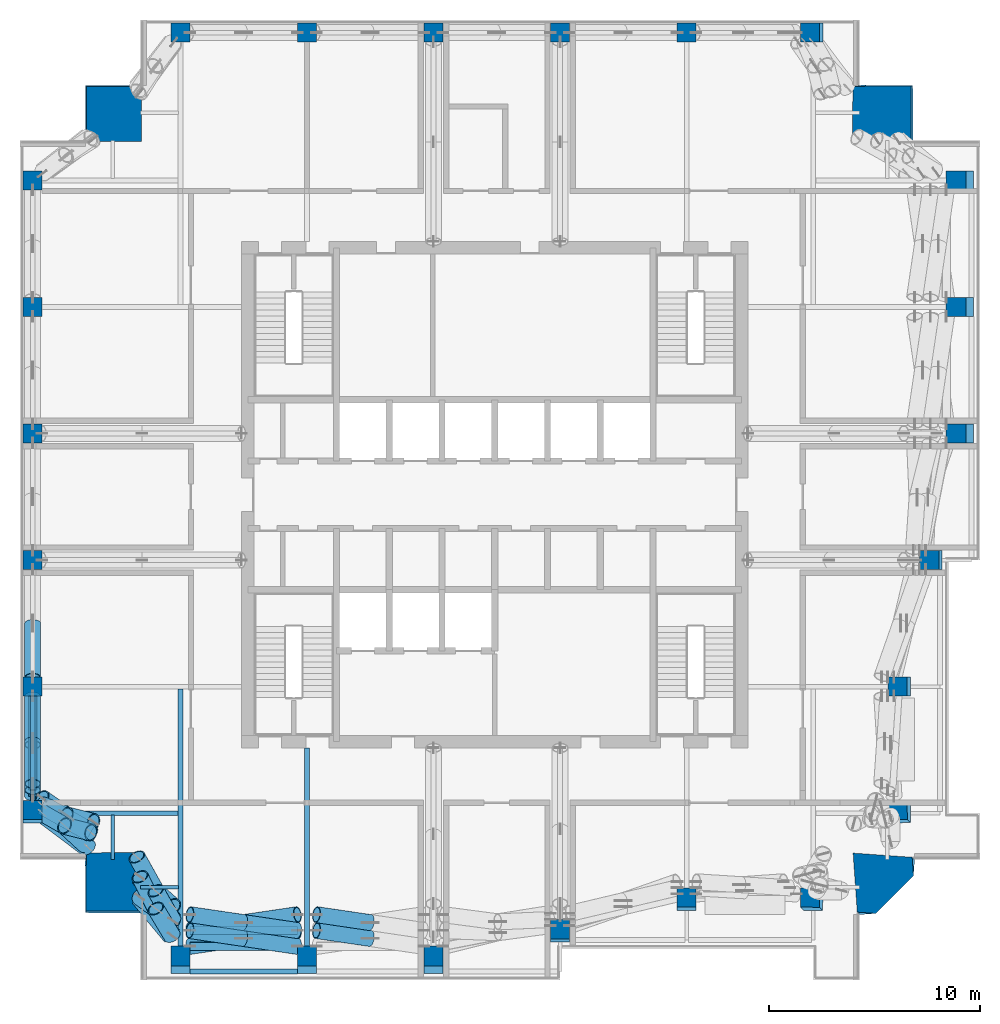
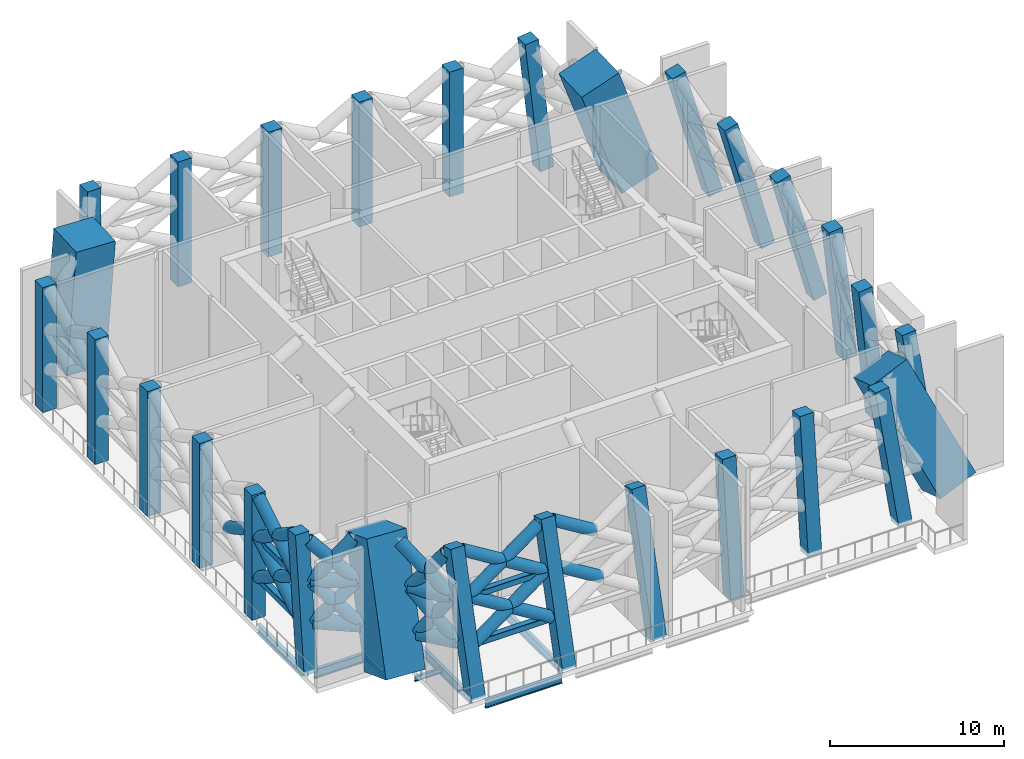
# One storey, part 1 of 18: 28 columns, 27 members, 15 beams.
"""IFC4 building model written with IfcOpenShell, lengths in metres."""

from ifc_helpers import new_model, si_unit, direction, frame, origin, origin_2d, place, context, subcontext, project, spatial, rectangle, hollow_rectangle, hollow_circle, i_section, extrude, material, material_profile, profile_set, type_object, element, save


model = new_model("IFC4")

# Units and contexts
model_context = context("Model", 3, precision=1e-05, world=origin(), true_north=direction((0.0, 1.0)))
body_context = subcontext(model_context, "Body", "Model", "MODEL_VIEW")
ifc_project = project(units=[si_unit("LENGTHUNIT", "METRE"), si_unit("AREAUNIT", "SQUARE_METRE"), si_unit("VOLUMEUNIT", "CUBIC_METRE"), si_unit("PLANEANGLEUNIT", "RADIAN"), si_unit("MASSUNIT", "GRAM", prefix="KILO")], contexts=[model_context])

# Site, building, storey
site_placement = place(None, origin())
site = spatial("IfcSite", under=ifc_project, at=site_placement, CompositionType="ELEMENT")
building_placement = place(site_placement, origin())
building = spatial("IfcBuilding", under=site, at=building_placement, Name="Amberfall Residences", CompositionType="ELEMENT")
storey_placement = place(building_placement, frame((0.0, 0.0, 229.89990234375)))
storey = spatial("IfcBuildingStorey", under=building, at=storey_placement, Name="L62", CompositionType="ELEMENT", Elevation=229.89990234375)

# Columns
ifc_material_1 = material(Name="Concrete C55", Category="concrete")
ifc_material_profile_1 = material_profile(ifc_material_1, rectangle(XDim=0.89990234375, YDim=0.89990234375, at=origin_2d()), Name="Column 900 x 900 C55")
ifc_profile_set_1 = profile_set([ifc_material_profile_1], Name="Concrete C55")
column_type_1 = type_object("IfcColumnType", Name="Column 900 x 900 C55", PredefinedType="COLUMN", material=ifc_profile_set_1)
for number, where, z_axis, x_axis, name in (
    (1, (59.60009765625, 23.25, -0.233154296875), (0.0, 0.25953103544, 0.965734767751), (-1.0, 0.0, 0.0), "Column C4 L62 S1"),
    (2, (65.60009765625, 23.25, -0.233154296875), (0.0, 0.25953103544, 0.965734767751), (-1.0, 0.0, 0.0), "Column C4 L62 S2"),
    (3, (71.60009765625, 23.25, -0.233154296875), (0.0, 0.25953103544, 0.965734767751), (-1.0, 0.0, 0.0), "Column C4 L62 S3"),
):
    element("IfcColumn", number, at=place(storey_placement, frame(where, z_axis=z_axis, x_axis=x_axis)), inside=storey, type_object=column_type_1, Name=name, PredefinedType="COLUMN", context=body_context, shape_type="SweptSolid", body=[
        extrude(rectangle(XDim=0.89990234375, YDim=0.89990234375, at=origin_2d()), origin(), (0.0, 0.0, 1.0), 9.43994140625),
    ])
for number, where, z_axis, x_axis, name in (
    (4, (77.60009765625, 24.75, -0.303955078125), (0.0, 0.102072131731, 0.994777000098), (-1.0, 0.0, 0.0), "Column C4 L62 S4"),
    (5, (83.60009765625, 26.25, -0.303955078125), (0.0, 0.102072131731, 0.994777000098), (-1.0, 0.0, 0.0), "Column C4 L62 S5"),
):
    element("IfcColumn", number, at=place(storey_placement, frame(where, z_axis=z_axis, x_axis=x_axis)), inside=storey, type_object=column_type_1, Name=name, PredefinedType="COLUMN", context=body_context, shape_type="SweptSolid", body=[
        extrude(rectangle(XDim=0.89990234375, YDim=0.89990234375, at=origin_2d()), origin(), (0.0, 0.0, 1.0), 9.306640625),
    ])
for number, where, z_axis, x_axis, name in (
    (6, (89.60009765625, 26.25, -0.255126953125), (-0.10794591497, 0.102543348425, 0.988854155644), (-0.005540068847, -0.994712823448, 0.102546118918), "Column C4 L62 S6"),
    (7, (93.75, 30.39990234375, -0.255126953125), (-0.102543348425, 0.10794591497, 0.988854155644), (-0.005591114531, -0.994141331541, 0.10794328307), "Column C4 L62 E1"),
):
    element("IfcColumn", number, at=place(storey_placement, frame(where, z_axis=z_axis, x_axis=x_axis)), inside=storey, type_object=column_type_1, Name=name, PredefinedType="COLUMN", context=body_context, shape_type="SweptSolid", body=[
        extrude(rectangle(XDim=0.89990234375, YDim=0.89990234375, at=origin_2d()), origin(), (0.0, 0.0, 1.0), 9.263916015625),
    ])
for number, where, z_axis, x_axis, name in (
    (8, (93.75, 36.39990234375, -0.303955078125), (-0.102072131731, 0.0, 0.994777000098), (0.0, -1.0, 0.0), "Column C4 L62 E2"),
    (9, (95.25, 42.39990234375, -0.303955078125), (-0.102072131731, 0.0, 0.994777000098), (0.0, -1.0, 0.0), "Column C4 L62 E3"),
):
    element("IfcColumn", number, at=place(storey_placement, frame(where, z_axis=z_axis, x_axis=x_axis)), inside=storey, type_object=column_type_1, Name=name, PredefinedType="COLUMN", context=body_context, shape_type="SweptSolid", body=[
        extrude(rectangle(XDim=0.89990234375, YDim=0.89990234375, at=origin_2d()), origin(), (0.0, 0.0, 1.0), 9.306640625),
    ])
for number, where, z_axis, x_axis, name in (
    (10, (96.75, 48.39990234375, -0.233154296875), (-0.25953103544, 0.0, 0.965734767751), (0.0, -1.0, 0.0), "Column C4 L62 E4"),
    (11, (96.75, 54.39990234375, -0.233154296875), (-0.25953103544, 0.0, 0.965734767751), (0.0, -1.0, 0.0), "Column C4 L62 E5"),
    (12, (96.75, 60.39990234375, -0.233154296875), (-0.25953103544, 0.0, 0.965734767751), (0.0, -1.0, 0.0), "Column C4 L62 E6"),
):
    element("IfcColumn", number, at=place(storey_placement, frame(where, z_axis=z_axis, x_axis=x_axis)), inside=storey, type_object=column_type_1, Name=name, PredefinedType="COLUMN", context=body_context, shape_type="SweptSolid", body=[
        extrude(rectangle(XDim=0.89990234375, YDim=0.89990234375, at=origin_2d()), origin(), (0.0, 0.0, 1.0), 9.43994140625),
    ])
for number, where, z_axis, x_axis, name in (
    (13, (59.60009765625, 67.39990234375, 0.0), (0.0, 0.0, 1.0), (1.0, 0.0, 0.0), "Column C4 L62 N1"),
    (14, (65.60009765625, 67.39990234375, 0.0), (0.0, 0.0, 1.0), (1.0, 0.0, 0.0), "Column C4 L62 N2"),
    (15, (71.60009765625, 67.39990234375, 0.0), (0.0, 0.0, 1.0), (1.0, 0.0, 0.0), "Column C4 L62 N3"),
    (16, (77.60009765625, 67.39990234375, 0.0), (0.0, 0.0, 1.0), (1.0, 0.0, 0.0), "Column C4 L62 N4"),
    (17, (83.60009765625, 67.39990234375, 0.0), (0.0, 0.0, 1.0), (1.0, 0.0, 0.0), "Column C4 L62 N5"),
):
    element("IfcColumn", number, at=place(storey_placement, frame(where, z_axis=z_axis, x_axis=x_axis)), inside=storey, type_object=column_type_1, Name=name, PredefinedType="COLUMN", context=body_context, shape_type="SweptSolid", body=[
        extrude(rectangle(XDim=0.89990234375, YDim=0.89990234375, at=origin_2d()), origin(), (0.0, 0.0, 1.0), 8.75),
    ])
for number, where, z_axis, x_axis, name in (
    (18, (89.60009765625, 67.39990234375, -0.301513671875), (-0.107442600408, 0.0, 0.994211289223), (0.0, -1.0, 0.0), "Column C4 L62 N6"),
    (19, (52.60009765625, 30.39990234375, -0.301513671875), (0.0, 0.107442600408, 0.994211289223), (-1.0, 0.0, 0.0), "Column C4 L62 W1"),
):
    element("IfcColumn", number, at=place(storey_placement, frame(where, z_axis=z_axis, x_axis=x_axis)), inside=storey, type_object=column_type_1, Name=name, PredefinedType="COLUMN", context=body_context, shape_type="SweptSolid", body=[
        extrude(rectangle(XDim=0.89990234375, YDim=0.89990234375, at=origin_2d()), origin(), (0.0, 0.0, 1.0), 9.307373046875),
    ])
for number, where, z_axis, x_axis, name in (
    (20, (52.60009765625, 36.39990234375, 0.0), (0.0, 0.0, 1.0), (1.0, 0.0, 0.0), "Column C4 L62 W2"),
    (21, (52.60009765625, 42.39990234375, 0.0), (0.0, 0.0, 1.0), (1.0, 0.0, 0.0), "Column C4 L62 W3"),
    (22, (52.60009765625, 48.39990234375, 0.0), (0.0, 0.0, 1.0), (1.0, 0.0, 0.0), "Column C4 L62 W4"),
    (23, (52.60009765625, 54.39990234375, 0.0), (0.0, 0.0, 1.0), (1.0, 0.0, 0.0), "Column C4 L62 W5"),
    (24, (52.60009765625, 60.39990234375, 0.0), (0.0, 0.0, 1.0), (1.0, 0.0, 0.0), "Column C4 L62 W6"),
):
    element("IfcColumn", number, at=place(storey_placement, frame(where, z_axis=z_axis, x_axis=x_axis)), inside=storey, type_object=column_type_1, Name=name, PredefinedType="COLUMN", context=body_context, shape_type="SweptSolid", body=[
        extrude(rectangle(XDim=0.89990234375, YDim=0.89990234375, at=origin_2d()), origin(), (0.0, 0.0, 1.0), 8.75),
    ])
ifc_material_profile_2 = material_profile(ifc_material_1, rectangle(XDim=2.60009765625, YDim=2.60009765625, at=origin_2d()), Name="Mega column 2600 x 2600 C55")
ifc_profile_set_2 = profile_set([ifc_material_profile_2], Name="Concrete C55")
column_type_2 = type_object("IfcColumnType", Name="Mega column 2600 x 2600 C55", PredefinedType="COLUMN", material=ifc_profile_set_2)
column_1_placement = place(storey_placement, frame((56.39990234375, 26.89990234375, 0.504150390625), z_axis=(0.04701358977, 0.340740959657, 0.938981001293), x_axis=(-0.998860434997, 0.008301961674, 0.046999030097)))
element("IfcColumn", 25, at=column_1_placement, inside=storey, type_object=column_type_2, Name="Mega column MC8 L62 SW", PredefinedType="COLUMN", context=body_context, shape_type="SweptSolid", body=[
    extrude(rectangle(XDim=2.60009765625, YDim=2.60009765625, at=origin_2d()), origin(), (0.0, 0.0, 1.0), 8.51123046875),
])
column_2_placement = place(storey_placement, frame((93.10009765625, 26.89990234375, 0.912353515625), z_axis=(-0.350895411962, 0.350895411962, 0.868184784322), x_axis=(-0.065907607839, -0.934092392161, 0.350895411962)))
element("IfcColumn", 26, at=column_2_placement, inside=storey, type_object=column_type_2, Name="Mega column MC8 L62 SE", PredefinedType="COLUMN", context=body_context, shape_type="SweptSolid", body=[
    extrude(rectangle(XDim=2.60009765625, YDim=2.60009765625, at=origin_2d()), origin(), (0.0, 0.0, 1.0), 8.264892578125),
])
column_3_placement = place(storey_placement, frame((93.10009765625, 63.60009765625, 0.504150390625), z_axis=(-0.340740959657, -0.04701358977, 0.938981001293), x_axis=(0.940120564526, -0.008219110333, 0.340742968204)))
element("IfcColumn", 27, at=column_3_placement, inside=storey, type_object=column_type_2, Name="Mega column MC8 L62 NE", PredefinedType="COLUMN", context=body_context, shape_type="SweptSolid", body=[
    extrude(rectangle(XDim=2.60009765625, YDim=2.60009765625, at=origin_2d()), origin(), (0.0, 0.0, 1.0), 8.51123046875),
])
column_4_placement = place(storey_placement, frame((56.39990234375, 63.60009765625, 0.118408203125), z_axis=(0.045567316879, -0.045567316879, 0.997921459467), x_axis=(0.001039270266, 0.998960729734, 0.045567316879)))
element("IfcColumn", 28, at=column_4_placement, inside=storey, type_object=column_type_2, Name="Mega column MC8 L62 NW", PredefinedType="COLUMN", context=body_context, shape_type="SweptSolid", body=[
    extrude(rectangle(XDim=2.60009765625, YDim=2.60009765625, at=origin_2d()), origin(), (0.0, 0.0, 1.0), 8.781494140625),
])

# Beams
ifc_material_2 = material(Name="Steel S355", Category="steel")
ifc_material_profile_3 = material_profile(ifc_material_2, hollow_circle(Radius=0.457275390625, WallThickness=0.06005859375, at=origin_2d()), Name="CHS 914.4x60")
ifc_profile_set_3 = profile_set([ifc_material_profile_3], Name="Steel S355")
beam_type_1 = type_object("IfcBeamType", Name="Belt truss chord BT CHS 914.4x60", PredefinedType="BEAM", material=ifc_profile_set_3)
beam_1_placement = place(storey_placement, frame((57.669921875, 26.43310546875, 3.0), z_axis=(0.640463764926, -0.767988389116, 0.0), x_axis=(0.767988389116, 0.640463764926, 0.0)))
element("IfcBeam", 29, at=beam_1_placement, inside=storey, type_object=beam_type_1, Name="Belt truss chord BT2 L62 SWS", PredefinedType="BEAM", context=body_context, shape_type="SweptSolid", body=[
    extrude(hollow_circle(Radius=0.457275390625, WallThickness=0.06005859375, at=origin_2d()), origin(), (0.0, 0.0, 1.0), 2.406494140625),
])
beam_2_placement = place(storey_placement, frame((57.6845703125, 27.39208984375, 5.646484375), z_axis=(0.598820179036, -0.800883507871, 0.0), x_axis=(0.800883507871, 0.598820179036, 0.0)))
element("IfcBeam", 30, at=beam_2_placement, inside=storey, type_object=beam_type_1, Name="Belt truss chord BT2 L62 SWSm", PredefinedType="BEAM", context=body_context, shape_type="SweptSolid", body=[
    extrude(hollow_circle(Radius=0.457275390625, WallThickness=0.06005859375, at=origin_2d()), origin(), (0.0, 0.0, 1.0), 2.616943359375),
])
beam_3_placement = place(storey_placement, frame((55.2314453125, 28.7783203125, 3.0), z_axis=(-0.799280207246, 0.600958526276, 0.0), x_axis=(-0.600958526276, -0.799280207246, 0.0)))
element("IfcBeam", 31, at=beam_3_placement, inside=storey, type_object=beam_type_1, Name="Belt truss chord BT2 L62 SWW", PredefinedType="BEAM", context=body_context, shape_type="SweptSolid", body=[
    extrude(hollow_circle(Radius=0.457275390625, WallThickness=0.06005859375, at=origin_2d()), origin(), (0.0, 0.0, 1.0), 2.729248046875),
])
beam_4_placement = place(storey_placement, frame((55.36181640625, 29.492919921875, 5.646484375), z_axis=(-0.872059641727, 0.489399613068, 0.0), x_axis=(-0.489399613068, -0.872059641727, 0.0)))
element("IfcBeam", 32, at=beam_4_placement, inside=storey, type_object=beam_type_1, Name="Belt truss chord BT2 L62 SWWm", PredefinedType="BEAM", context=body_context, shape_type="SweptSolid", body=[
    extrude(hollow_circle(Radius=0.457275390625, WallThickness=0.06005859375, at=origin_2d()), origin(), (0.0, 0.0, 1.0), 2.65087890625),
])
ifc_material_profile_4 = material_profile(ifc_material_2, hollow_rectangle(XDim=0.39990234375, YDim=0.39990234375, WallThickness=0.02001953125, InnerFilletRadius=0.02001953125, OuterFilletRadius=0.030029296875, at=origin_2d()), Name="RHS 400x400x20")
ifc_profile_set_4 = profile_set([ifc_material_profile_4], Name="Steel S355")
beam_type_2 = type_object("IfcBeamType", Name="Belt truss chord BT RHS 400x400x20", PredefinedType="BEAM", material=ifc_profile_set_4)
for number, where, z_axis, x_axis, name in (
    (33, (60.050048828125, 24.092041015625, 2.900146484375), (1.0, 0.0, 0.0), (0.0, 1.0, 0.0), "Belt truss chord BT3 L62 S1"),
    (34, (60.050048828125, 24.844482421875, 5.7001953125), (1.0, 0.0, 0.0), (0.0, 1.0, 0.0), "Belt truss chord BT3 L62 S1m"),
):
    element("IfcBeam", number, at=place(storey_placement, frame(where, z_axis=z_axis, x_axis=x_axis)), inside=storey, type_object=beam_type_2, Name=name, PredefinedType="BEAM", context=body_context, shape_type="SweptSolid", body=[
        extrude(hollow_rectangle(XDim=0.39990234375, YDim=0.39990234375, WallThickness=0.02001953125, InnerFilletRadius=0.02001953125, OuterFilletRadius=0.030029296875, at=origin_2d()), origin(), (0.0, 0.0, 1.0), 5.099853515625),
    ])
beam_5_placement = place(storey_placement, frame((52.60009765625, 31.196044921875, 2.900146484375), z_axis=(0.0, 1.0, 0.0), x_axis=(-1.0, 0.0, 0.0)))
element("IfcBeam", 35, at=beam_5_placement, inside=storey, type_object=beam_type_2, Name="Belt truss chord BT3 L62 W1", PredefinedType="BEAM", context=body_context, shape_type="SweptSolid", body=[
    extrude(hollow_rectangle(XDim=0.39990234375, YDim=0.39990234375, WallThickness=0.02001953125, InnerFilletRadius=0.02001953125, OuterFilletRadius=0.030029296875, at=origin_2d()), origin(), (0.0, 0.0, 1.0), 4.75390625),
])
beam_6_placement = place(storey_placement, frame((52.60009765625, 31.49853515625, 5.7001953125), z_axis=(0.0, 1.0, 0.0), x_axis=(-1.0, 0.0, 0.0)))
element("IfcBeam", 36, at=beam_6_placement, inside=storey, type_object=beam_type_2, Name="Belt truss chord BT3 L62 W1m", PredefinedType="BEAM", context=body_context, shape_type="SweptSolid", body=[
    extrude(hollow_rectangle(XDim=0.39990234375, YDim=0.39990234375, WallThickness=0.02001953125, InnerFilletRadius=0.02001953125, OuterFilletRadius=0.030029296875, at=origin_2d()), origin(), (0.0, 0.0, 1.0), 4.451416015625),
])

# Members
ifc_material_profile_5 = material_profile(ifc_material_2, hollow_circle(Radius=0.381103515625, WallThickness=0.0400390625, at=origin_2d()), Name="CHS 762x40")
ifc_profile_set_5 = profile_set([ifc_material_profile_5], Name="Steel S355")
member_type_1 = type_object("IfcMemberType", Name="Belt truss diagonal BT CHS 762x40", PredefinedType="BRACE", material=ifc_profile_set_5)
member_1_placement = place(storey_placement, frame((60.050048828125, 24.092041015625, 2.900146484375), z_axis=(0.86932895878, 0.128262331895, 0.477300676349), x_axis=(-0.145961633157, 0.989290251466, 0.0)))
element("IfcMember", 37, at=member_1_placement, inside=storey, type_object=member_type_1, Name="Belt truss diagonal BT4 L62 S1d", PredefinedType="BRACE", context=body_context, shape_type="SweptSolid", body=[
    extrude(hollow_circle(Radius=0.381103515625, WallThickness=0.0400390625, at=origin_2d()), origin(), (0.0, 0.0, 1.0), 5.866455078125),
])
member_2_placement = place(storey_placement, frame((60.050048828125, 24.844482421875, 5.7001953125), z_axis=(0.869321856578, -0.128255144183, -0.47731554308), x_axis=(0.145954794853, 0.989291260378, 0.0)))
element("IfcMember", 38, at=member_2_placement, inside=storey, type_object=member_type_1, Name="Belt truss diagonal BT4 L62 S1e", PredefinedType="BRACE", context=body_context, shape_type="SweptSolid", body=[
    extrude(hollow_circle(Radius=0.381103515625, WallThickness=0.0400390625, at=origin_2d()), origin(), (0.0, 0.0, 1.0), 2.933349609375),
])
member_3_placement = place(storey_placement, frame((62.60009765625, 24.46826171875, 4.300048828125), z_axis=(0.869336061497, -0.128269520372, -0.477285807796), x_axis=(0.145968472095, 0.989289242413, 0.0)))
element("IfcMember", 39, at=member_3_placement, inside=storey, type_object=member_type_1, Name="Belt truss diagonal BT4 L62 S1e2", PredefinedType="BRACE", context=body_context, shape_type="SweptSolid", body=[
    extrude(hollow_circle(Radius=0.381103515625, WallThickness=0.0400390625, at=origin_2d()), origin(), (0.0, 0.0, 1.0), 2.93310546875),
])
member_4_placement = place(storey_placement, frame((60.050048828125, 24.844482421875, 5.7001953125), z_axis=(0.869346226568, 0.128264879615, 0.477268539723), x_axis=(-0.145961633157, 0.989290251466, 0.0)))
element("IfcMember", 40, at=member_4_placement, inside=storey, type_object=member_type_1, Name="Belt truss diagonal BT4 L62 S1du", PredefinedType="BRACE", context=body_context, shape_type="SweptSolid", body=[
    extrude(hollow_circle(Radius=0.381103515625, WallThickness=0.0400390625, at=origin_2d()), origin(), (0.0, 0.0, 1.0), 5.8662109375),
])
member_5_placement = place(storey_placement, frame((60.050048828125, 25.596923828125, 8.5), z_axis=(0.869356390535, -0.12826023914, -0.477251272698), x_axis=(0.145954794853, 0.989291260378, 0.0)))
element("IfcMember", 41, at=member_5_placement, inside=storey, type_object=member_type_1, Name="Belt truss diagonal BT4 L62 S1eu", PredefinedType="BRACE", context=body_context, shape_type="SweptSolid", body=[
    extrude(hollow_circle(Radius=0.381103515625, WallThickness=0.0400390625, at=origin_2d()), origin(), (0.0, 0.0, 1.0), 2.933349609375),
])
member_6_placement = place(storey_placement, frame((62.60009765625, 25.220703125, 7.10009765625), z_axis=(0.869336061497, -0.128269520372, -0.477285807796), x_axis=(0.145968472095, 0.989289242413, 0.0)))
element("IfcMember", 42, at=member_6_placement, inside=storey, type_object=member_type_1, Name="Belt truss diagonal BT4 L62 S1e2u", PredefinedType="BRACE", context=body_context, shape_type="SweptSolid", body=[
    extrude(hollow_circle(Radius=0.381103515625, WallThickness=0.0400390625, at=origin_2d()), origin(), (0.0, 0.0, 1.0), 2.93310546875),
])
for number, where, z_axis, x_axis, name in (
    (43, (66.050048828125, 24.844482421875, 5.7001953125), (0.869321856578, -0.128255144183, -0.47731554308), (0.145954794853, 0.989291260378, 0.0), "Belt truss diagonal BT4 L62 S2e"),
    (44, (66.050048828125, 25.596923828125, 8.5), (0.869356390535, -0.12826023914, -0.477251272698), (0.145954794853, 0.989291260378, 0.0), "Belt truss diagonal BT4 L62 S2eu"),
):
    element("IfcMember", number, at=place(storey_placement, frame(where, z_axis=z_axis, x_axis=x_axis)), inside=storey, type_object=member_type_1, Name=name, PredefinedType="BRACE", context=body_context, shape_type="SweptSolid", body=[
        extrude(hollow_circle(Radius=0.381103515625, WallThickness=0.0400390625, at=origin_2d()), origin(), (0.0, 0.0, 1.0), 2.933349609375),
    ])
member_7_placement = place(storey_placement, frame((52.60009765625, 31.196044921875, 2.900146484375), z_axis=(0.0, 0.861646277237, 0.507509303288), x_axis=(-1.0, 0.0, 0.0)))
element("IfcMember", 45, at=member_7_placement, inside=storey, type_object=member_type_1, Name="Belt truss diagonal BT4 L62 W1d", PredefinedType="BRACE", context=body_context, shape_type="SweptSolid", body=[
    extrude(hollow_circle(Radius=0.381103515625, WallThickness=0.0400390625, at=origin_2d()), origin(), (0.0, 0.0, 1.0), 5.517333984375),
])
member_8_placement = place(storey_placement, frame((52.60009765625, 31.49853515625, 5.7001953125), z_axis=(0.0, 0.846468429535, -0.532438914619), x_axis=(-1.0, 0.0, 0.0)))
element("IfcMember", 46, at=member_8_placement, inside=storey, type_object=member_type_1, Name="Belt truss diagonal BT4 L62 W1e", PredefinedType="BRACE", context=body_context, shape_type="SweptSolid", body=[
    extrude(hollow_circle(Radius=0.381103515625, WallThickness=0.0400390625, at=origin_2d()), origin(), (0.0, 0.0, 1.0), 2.54296875),
])
member_9_placement = place(storey_placement, frame((52.60009765625, 33.651123046875, 4.34619140625), z_axis=(0.0, 0.846459445902, -0.532453196482), x_axis=(-1.0, 0.0, 0.0)))
element("IfcMember", 47, at=member_9_placement, inside=storey, type_object=member_type_1, Name="Belt truss diagonal BT4 L62 W1e2", PredefinedType="BRACE", context=body_context, shape_type="SweptSolid", body=[
    extrude(hollow_circle(Radius=0.381103515625, WallThickness=0.0400390625, at=origin_2d()), origin(), (0.0, 0.0, 1.0), 2.7158203125),
])
member_10_placement = place(storey_placement, frame((52.60009765625, 31.49853515625, 5.7001953125), z_axis=(0.0, 0.846484713526, 0.532413025542), x_axis=(-1.0, 0.0, 0.0)))
element("IfcMember", 48, at=member_10_placement, inside=storey, type_object=member_type_1, Name="Belt truss diagonal BT4 L62 W1du", PredefinedType="BRACE", context=body_context, shape_type="SweptSolid", body=[
    extrude(hollow_circle(Radius=0.381103515625, WallThickness=0.0400390625, at=origin_2d()), origin(), (0.0, 0.0, 1.0), 5.2587890625),
])
member_11_placement = place(storey_placement, frame((52.60009765625, 31.80126953125, 8.5), z_axis=(0.0, 0.828894390985, -0.559405120279), x_axis=(-1.0, 0.0, 0.0)))
element("IfcMember", 49, at=member_11_placement, inside=storey, type_object=member_type_1, Name="Belt truss diagonal BT4 L62 W1eu", PredefinedType="BRACE", context=body_context, shape_type="SweptSolid", body=[
    extrude(hollow_circle(Radius=0.381103515625, WallThickness=0.0400390625, at=origin_2d()), origin(), (0.0, 0.0, 1.0), 2.414306640625),
])
member_12_placement = place(storey_placement, frame((52.60009765625, 33.802490234375, 7.1494140625), z_axis=(0.0, 0.828905478837, -0.559388690584), x_axis=(-1.0, 0.0, 0.0)))
element("IfcMember", 50, at=member_12_placement, inside=storey, type_object=member_type_1, Name="Belt truss diagonal BT4 L62 W1e2u", PredefinedType="BRACE", context=body_context, shape_type="SweptSolid", body=[
    extrude(hollow_circle(Radius=0.381103515625, WallThickness=0.0400390625, at=origin_2d()), origin(), (0.0, 0.0, 1.0), 2.5908203125),
])
member_13_placement = place(storey_placement, frame((52.60009765625, 36.85009765625, 5.7001953125), z_axis=(0.0, 0.876541753881, -0.481325829042), x_axis=(-1.0, 0.0, 0.0)))
element("IfcMember", 51, at=member_13_placement, inside=storey, type_object=member_type_1, Name="Belt truss diagonal BT4 L62 W2e", PredefinedType="BRACE", context=body_context, shape_type="SweptSolid", body=[
    extrude(hollow_circle(Radius=0.381103515625, WallThickness=0.0400390625, at=origin_2d()), origin(), (0.0, 0.0, 1.0), 2.908935546875),
])
ifc_material_profile_6 = material_profile(ifc_material_2, hollow_circle(Radius=0.406494140625, WallThickness=0.050048828125, at=origin_2d()), Name="CHS 813x50")
ifc_profile_set_6 = profile_set([ifc_material_profile_6], Name="Steel S355")
member_type_2 = type_object("IfcMemberType", Name="Belt truss diagonal BT CHS 813x50", PredefinedType="BRACE", material=ifc_profile_set_6)
member_14_placement = place(storey_placement, frame((57.669921875, 26.43310546875, 3.0), z_axis=(0.481353363419, -0.345988981856, 0.80535120535), x_axis=(0.583654124988, 0.812002378312, 0.0)))
element("IfcMember", 52, at=member_14_placement, inside=storey, type_object=member_type_2, Name="Belt truss diagonal BT5 L62 SWSd", PredefinedType="BRACE", context=body_context, shape_type="SweptSolid", body=[
    extrude(hollow_circle(Radius=0.406494140625, WallThickness=0.050048828125, at=origin_2d()), origin(), (0.0, 0.0, 1.0), 3.2861328125),
])
member_15_placement = place(storey_placement, frame((57.6845703125, 27.39208984375, 5.646484375), z_axis=(0.344603750227, -0.694495249804, -0.631604784125), x_axis=(0.895787099502, 0.444483376928, 0.0)))
element("IfcMember", 53, at=member_15_placement, inside=storey, type_object=member_type_2, Name="Belt truss diagonal BT5 L62 SWSe", PredefinedType="BRACE", context=body_context, shape_type="SweptSolid", body=[
    extrude(hollow_circle(Radius=0.406494140625, WallThickness=0.050048828125, at=origin_2d()), origin(), (0.0, 0.0, 1.0), 2.169921875),
])
member_16_placement = place(storey_placement, frame((58.432373046875, 25.885009765625, 4.27587890625), z_axis=(0.393130314822, -0.656244177563, -0.644043581586), x_axis=(0.857848084917, 0.513903359791, 0.0)))
element("IfcMember", 54, at=member_16_placement, inside=storey, type_object=member_type_2, Name="Belt truss diagonal BT5 L62 SWSe2", PredefinedType="BRACE", context=body_context, shape_type="SweptSolid", body=[
    extrude(hollow_circle(Radius=0.406494140625, WallThickness=0.050048828125, at=origin_2d()), origin(), (0.0, 0.0, 1.0), 1.98095703125),
])
member_17_placement = place(storey_placement, frame((57.6845703125, 27.39208984375, 5.646484375), z_axis=(0.465203879588, -0.413057132024, 0.782923467588), x_axis=(0.663952998883, 0.747774307712, 0.0)))
element("IfcMember", 55, at=member_17_placement, inside=storey, type_object=member_type_2, Name="Belt truss diagonal BT5 L62 SWSdu", PredefinedType="BRACE", context=body_context, shape_type="SweptSolid", body=[
    extrude(hollow_circle(Radius=0.406494140625, WallThickness=0.050048828125, at=origin_2d()), origin(), (0.0, 0.0, 1.0), 3.38037109375),
])
member_18_placement = place(storey_placement, frame((57.535400390625, 28.33447265625, 8.29296875), z_axis=(0.388352929076, -0.696302182984, -0.603610199094), x_axis=(0.873347569751, 0.487097549172, 0.0)))
element("IfcMember", 56, at=member_18_placement, inside=storey, type_object=member_type_2, Name="Belt truss diagonal BT5 L62 SWSeu", PredefinedType="BRACE", context=body_context, shape_type="SweptSolid", body=[
    extrude(hollow_circle(Radius=0.406494140625, WallThickness=0.050048828125, at=origin_2d()), origin(), (0.0, 0.0, 1.0), 2.3046875),
])
member_19_placement = place(storey_placement, frame((58.430419921875, 26.729736328125, 6.90185546875), z_axis=(0.395800195275, -0.690885477603, -0.604995423337), x_axis=(0.867697010111, 0.497093450615, 0.0)))
element("IfcMember", 57, at=member_19_placement, inside=storey, type_object=member_type_2, Name="Belt truss diagonal BT5 L62 SWSe2u", PredefinedType="BRACE", context=body_context, shape_type="SweptSolid", body=[
    extrude(hollow_circle(Radius=0.406494140625, WallThickness=0.050048828125, at=origin_2d()), origin(), (0.0, 0.0, 1.0), 2.074951171875),
])
member_20_placement = place(storey_placement, frame((55.2314453125, 28.7783203125, 3.0), z_axis=(-0.548609928396, 0.505998256285, 0.665577126336), x_axis=(-0.677982773167, -0.735077791318, 0.0)))
element("IfcMember", 58, at=member_20_placement, inside=storey, type_object=member_type_2, Name="Belt truss diagonal BT5 L62 SWWd", PredefinedType="BRACE", context=body_context, shape_type="SweptSolid", body=[
    extrude(hollow_circle(Radius=0.406494140625, WallThickness=0.050048828125, at=origin_2d()), origin(), (0.0, 0.0, 1.0), 3.976318359375),
])
member_21_placement = place(storey_placement, frame((55.36181640625, 29.492919921875, 5.646484375), z_axis=(-0.685186517705, 0.173975231919, -0.707284988272), x_axis=(-0.246100171005, -0.969244399432, 0.0)))
element("IfcMember", 59, at=member_21_placement, inside=storey, type_object=member_type_2, Name="Belt truss diagonal BT5 L62 SWWe", PredefinedType="BRACE", context=body_context, shape_type="SweptSolid", body=[
    extrude(hollow_circle(Radius=0.406494140625, WallThickness=0.050048828125, at=origin_2d()), origin(), (0.0, 0.0, 1.0), 1.822998046875),
])
member_22_placement = place(storey_placement, frame((54.11279296875, 29.81005859375, 4.357177734375), z_axis=(-0.581376737559, 0.332825828164, -0.742447343003), x_axis=(-0.496825836901, -0.867850268069, 0.0)))
element("IfcMember", 60, at=member_22_placement, inside=storey, type_object=member_type_2, Name="Belt truss diagonal BT5 L62 SWWe2", PredefinedType="BRACE", context=body_context, shape_type="SweptSolid", body=[
    extrude(hollow_circle(Radius=0.406494140625, WallThickness=0.050048828125, at=origin_2d()), origin(), (0.0, 0.0, 1.0), 1.827880859375),
])
member_23_placement = place(storey_placement, frame((55.36181640625, 29.492919921875, 5.646484375), z_axis=(-0.597245710606, 0.419314551073, 0.683719875696), x_axis=(-0.574604554279, -0.818431185991, 0.0)))
element("IfcMember", 61, at=member_23_placement, inside=storey, type_object=member_type_2, Name="Belt truss diagonal BT5 L62 SWWdu", PredefinedType="BRACE", context=body_context, shape_type="SweptSolid", body=[
    extrude(hollow_circle(Radius=0.406494140625, WallThickness=0.050048828125, at=origin_2d()), origin(), (0.0, 0.0, 1.0), 3.87060546875),
])
member_24_placement = place(storey_placement, frame((55.488525390625, 29.98779296875, 8.29296875), z_axis=(-0.685175403889, 0.168813223557, -0.708545525325), x_axis=(-0.239225693149, -0.970963988898, 0.0)))
element("IfcMember", 62, at=member_24_placement, inside=storey, type_object=member_type_2, Name="Belt truss diagonal BT5 L62 SWWeu", PredefinedType="BRACE", context=body_context, shape_type="SweptSolid", body=[
    extrude(hollow_circle(Radius=0.406494140625, WallThickness=0.050048828125, at=origin_2d()), origin(), (0.0, 0.0, 1.0), 1.869873046875),
])
member_25_placement = place(storey_placement, frame((54.207275390625, 30.303466796875, 6.968017578125), z_axis=(-0.634860751148, 0.267070113458, -0.725000262862), x_axis=(-0.387761394684, -0.921759784756, 0.0)))
element("IfcMember", 63, at=member_25_placement, inside=storey, type_object=member_type_2, Name="Belt truss diagonal BT5 L62 SWWe2u", PredefinedType="BRACE", context=body_context, shape_type="SweptSolid", body=[
    extrude(hollow_circle(Radius=0.406494140625, WallThickness=0.050048828125, at=origin_2d()), origin(), (0.0, 0.0, 1.0), 1.82275390625),
])

# Beams
ifc_material_profile_7 = material_profile(ifc_material_2, i_section(OverallWidth=0.228271484375, OverallDepth=0.607666015625, WebThickness=0.010986328125, FlangeThickness=0.017333984375, FilletRadius=0.0126953125, at=origin_2d()), Name="UB 610x229x113")
ifc_profile_set_7 = profile_set([ifc_material_profile_7], Name="Steel S355")
beam_type_3 = type_object("IfcBeamType", Name="Edge beam UB 610x229x113", PredefinedType="SPANDREL", material=ifc_profile_set_7)
for number, where, z_axis, x_axis, name in (
    (64, (60.050048828125, 22.89990234375, -0.65380859375), (1.0, 0.0, 0.0), (0.0, 1.0, 0.0), "Edge beam B12 L62 01"),
    (65, (52.60009765625, 30.85009765625, -0.65380859375), (0.0, 1.0, 0.0), (-1.0, 0.0, 0.0), "Edge beam B12 L62 40"),
):
    element("IfcBeam", number, at=place(storey_placement, frame(where, z_axis=z_axis, x_axis=x_axis)), inside=storey, type_object=beam_type_3, Name=name, PredefinedType="SPANDREL", context=body_context, shape_type="SweptSolid", body=[
        extrude(i_section(OverallWidth=0.228271484375, OverallDepth=0.607666015625, WebThickness=0.010986328125, FlangeThickness=0.017333984375, FilletRadius=0.0126953125, at=origin_2d()), origin(), (0.0, 0.0, 1.0), 5.099853515625),
    ])
ifc_material_profile_8 = material_profile(ifc_material_2, i_section(OverallWidth=0.230224609375, OverallDepth=0.6171875, WebThickness=0.01318359375, FlangeThickness=0.022216796875, FilletRadius=0.0126953125, at=origin_2d()), Name="UB 610x229x140")
ifc_profile_set_8 = profile_set([ifc_material_profile_8], Name="Steel S355")
beam_type_4 = type_object("IfcBeamType", Name="Floor girder UB 610x229x140", PredefinedType="BEAM", material=ifc_profile_set_8)
beam_7_placement = place(storey_placement, frame((59.60009765625, 23.699951171875, -0.658447265625), z_axis=(0.0, 1.0, 0.0), x_axis=(-1.0, 0.0, 0.0)))
element("IfcBeam", 66, at=beam_7_placement, inside=storey, type_object=beam_type_4, Name="Floor girder B13 L62 09", PredefinedType="BEAM", context=body_context, shape_type="SweptSolid", body=[
    extrude(i_section(OverallWidth=0.230224609375, OverallDepth=0.6171875, WebThickness=0.01318359375, FlangeThickness=0.022216796875, FilletRadius=0.0126953125, at=origin_2d()), origin(), (0.0, 0.0, 1.0), 12.58984375),
])
beam_8_placement = place(storey_placement, frame((65.60009765625, 23.699951171875, -0.658447265625), z_axis=(0.0, 1.0, 0.0), x_axis=(-1.0, 0.0, 0.0)))
element("IfcBeam", 67, at=beam_8_placement, inside=storey, type_object=beam_type_4, Name="Floor girder B13 L62 10", PredefinedType="BEAM", context=body_context, shape_type="SweptSolid", body=[
    extrude(i_section(OverallWidth=0.230224609375, OverallDepth=0.6171875, WebThickness=0.01318359375, FlangeThickness=0.022216796875, FilletRadius=0.0126953125, at=origin_2d()), origin(), (0.0, 0.0, 1.0), 9.800048828125),
])
beam_9_placement = place(storey_placement, frame((53.050048828125, 30.39990234375, -0.658447265625), z_axis=(1.0, 0.0, 0.0), x_axis=(0.0, 1.0, 0.0)))
element("IfcBeam", 68, at=beam_9_placement, inside=storey, type_object=beam_type_4, Name="Floor girder B13 L62 45", PredefinedType="BEAM", context=body_context, shape_type="SweptSolid", body=[
    extrude(i_section(OverallWidth=0.230224609375, OverallDepth=0.6171875, WebThickness=0.01318359375, FlangeThickness=0.022216796875, FilletRadius=0.0126953125, at=origin_2d()), origin(), (0.0, 0.0, 1.0), 6.429931640625),
])
ifc_material_profile_9 = material_profile(ifc_material_2, i_section(OverallWidth=0.171142578125, OverallDepth=0.351318359375, WebThickness=0.007080078125, FlangeThickness=0.009765625, FilletRadius=0.01025390625, at=origin_2d()), Name="UB 356x171x45")
ifc_profile_set_9 = profile_set([ifc_material_profile_9], Name="Steel S355")
beam_type_5 = type_object("IfcBeamType", Name="Link beam UB 356x171x45", PredefinedType="BEAM", material=ifc_profile_set_9)
beam_10_placement = place(storey_placement, frame((57.699951171875, 26.89990234375, -0.525634765625), z_axis=(1.0, 0.0, 0.0), x_axis=(0.0, 1.0, 0.0)))
element("IfcBeam", 69, at=beam_10_placement, inside=storey, type_object=beam_type_5, Name="Link beam B7 L62 51", PredefinedType="BEAM", context=body_context, shape_type="SweptSolid", body=[
    extrude(i_section(OverallWidth=0.171142578125, OverallDepth=0.351318359375, WebThickness=0.007080078125, FlangeThickness=0.009765625, FilletRadius=0.01025390625, at=origin_2d()), origin(), (0.0, 0.0, 1.0), 1.8046875),
])
beam_11_placement = place(storey_placement, frame((56.39990234375, 28.199951171875, -0.525634765625), z_axis=(0.0, 1.0, 0.0), x_axis=(-1.0, 0.0, 0.0)))
element("IfcBeam", 70, at=beam_11_placement, inside=storey, type_object=beam_type_5, Name="Link beam B7 L62 52", PredefinedType="BEAM", context=body_context, shape_type="SweptSolid", body=[
    extrude(i_section(OverallWidth=0.171142578125, OverallDepth=0.351318359375, WebThickness=0.007080078125, FlangeThickness=0.009765625, FilletRadius=0.01025390625, at=origin_2d()), origin(), (0.0, 0.0, 1.0), 2.121337890625),
])

save(model, "model.ifc")
